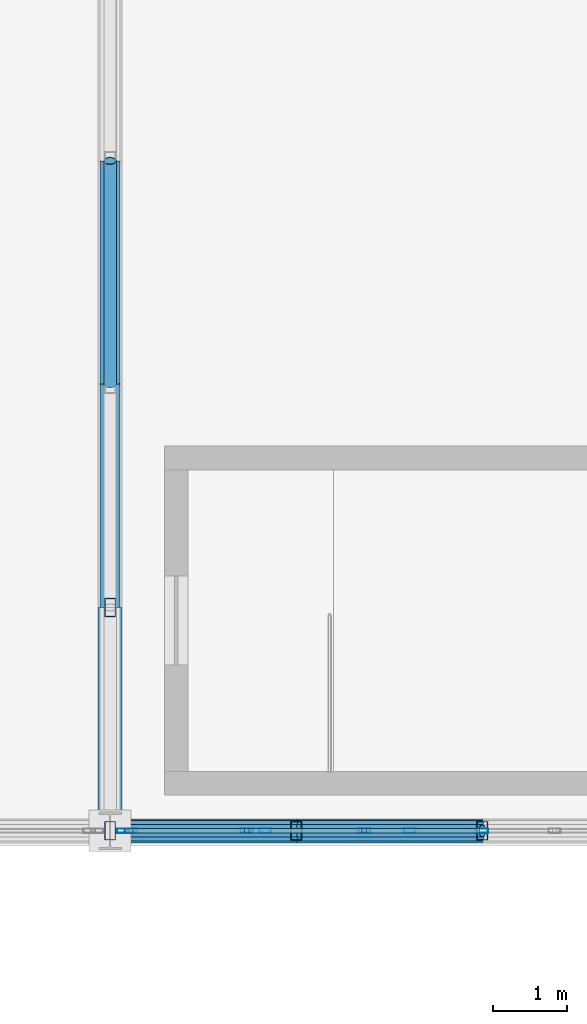
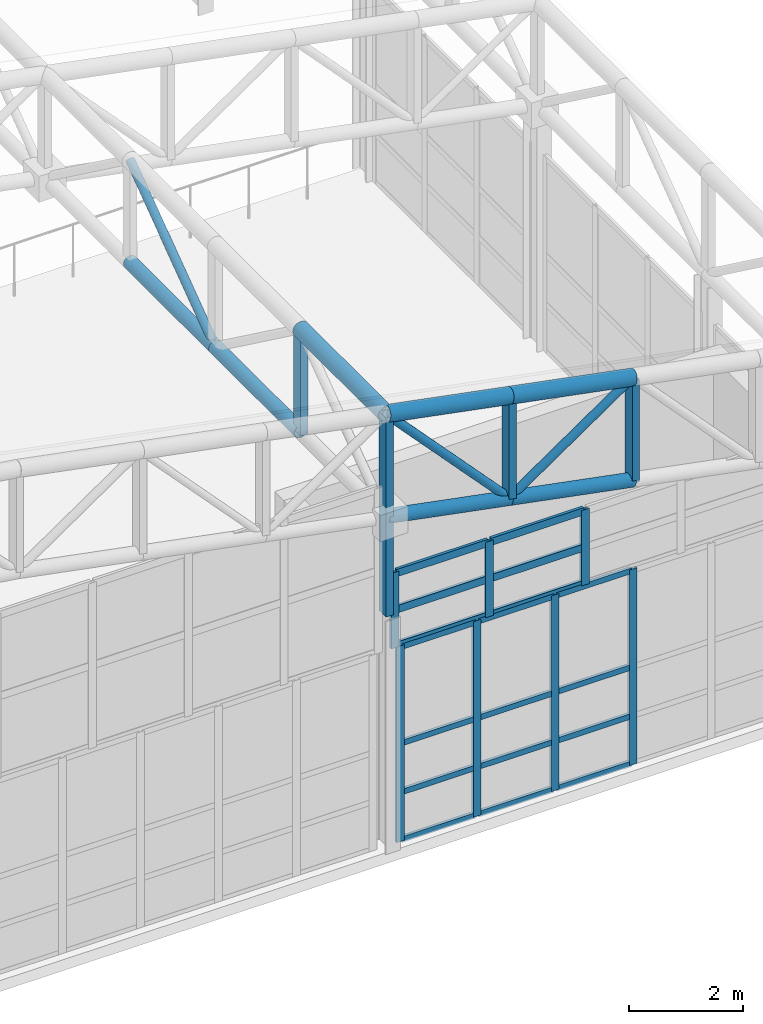
# One storey, part 51 of 112: 39 members, 2 elements without a shape of their own.
"""IFC4 building model written with IfcOpenShell, lengths in metres."""

from ifc_helpers import new_model, si_unit, direction, frame, origin, origin_2d, place, context, subcontext, project, spatial, hollow_rectangle, hollow_circle, extrude, material, material_profile, profile_set, type_object, element, aggregate, save


model = new_model("IFC4")

# Units and contexts
model_context = context("Model", 3, precision=1e-05, world=origin(), true_north=direction((0.0, 1.0)))
body_context = subcontext(model_context, "Body", "Model", "MODEL_VIEW")
ifc_project = project(units=[si_unit("LENGTHUNIT", "METRE"), si_unit("AREAUNIT", "SQUARE_METRE"), si_unit("VOLUMEUNIT", "CUBIC_METRE"), si_unit("PLANEANGLEUNIT", "RADIAN"), si_unit("MASSUNIT", "GRAM", prefix="KILO")], contexts=[model_context])

# Site, building, storey
site_placement = place(None, origin())
site = spatial("IfcSite", under=ifc_project, at=site_placement, CompositionType="ELEMENT")
building_placement = place(site_placement, origin())
building = spatial("IfcBuilding", under=site, at=building_placement, Name="Kaldris Quays Convention Centre", CompositionType="ELEMENT")
storey_placement = place(building_placement, frame((0.0, 0.0, 16.800048828125)))
storey = spatial("IfcBuildingStorey", under=building, at=storey_placement, Name="L03", CompositionType="ELEMENT", Elevation=16.800048828125)

# Curtain wall, members
ifc_material_1 = material(Name="Anodized aluminium AW-6060 and triple glazing", Category="aluminium")
curtain_wall_type_1 = type_object("IfcCurtainWallType", Name="UNITISED CURTAIN WALL CW01", PredefinedType="NOTDEFINED", material=ifc_material_1)
curtain_wall_1_placement = place(storey_placement, origin())
curtain_wall_1 = element("IfcCurtainWall", 1, at=curtain_wall_1_placement, inside=storey, type_object=curtain_wall_type_1, Name="L03 Unitised Curtain Wall CW01 39", PredefinedType="NOTDEFINED")
ifc_material_2 = material(Name="Anodized aluminium AW-6060", Category="aluminium")
ifc_material_profile_1 = material_profile(ifc_material_2, hollow_rectangle(XDim=0.06005859375, YDim=0.159912109375, WallThickness=0.00390625, at=origin_2d()), Name="RHS 160x60x4")
ifc_profile_set_1 = profile_set([ifc_material_profile_1], Name="Anodized aluminium AW-6060")
member_type_1 = type_object("IfcMemberType", Name="CURTAIN MULLION CWM1", PredefinedType="MULLION", material=ifc_profile_set_1)
member_1_placement = place(storey_placement, frame((194.280029296875, 56.0, 0.0), z_axis=(0.0, 0.0, 1.0), x_axis=(0.0, 1.0, 0.0)))
member_1 = element("IfcMember", 2, at=member_1_placement, type_object=member_type_1, Name="CW01 mullion 1", PredefinedType="MULLION", context=body_context, shape_type="SweptSolid", body=[
    extrude(hollow_rectangle(XDim=0.06005859375, YDim=0.159912109375, WallThickness=0.00390625, at=origin_2d()), origin(), (0.0, 0.0, 1.0), 4.199951171875),
])
member_2_placement = place(storey_placement, frame((195.833251953125, 56.0, 0.0), z_axis=(0.0, 0.0, 1.0), x_axis=(0.0, 1.0, 0.0)))
member_2 = element("IfcMember", 3, at=member_2_placement, type_object=member_type_1, Name="CW01 mullion 2", PredefinedType="MULLION", context=body_context, shape_type="SweptSolid", body=[
    extrude(hollow_rectangle(XDim=0.06005859375, YDim=0.159912109375, WallThickness=0.00390625, at=origin_2d()), origin(), (0.0, 0.0, 1.0), 4.199951171875),
])
member_3_placement = place(storey_placement, frame((197.416748046875, 56.0, 0.0), z_axis=(0.0, 0.0, 1.0), x_axis=(0.0, 1.0, 0.0)))
member_3 = element("IfcMember", 4, at=member_3_placement, type_object=member_type_1, Name="CW01 mullion 3", PredefinedType="MULLION", context=body_context, shape_type="SweptSolid", body=[
    extrude(hollow_rectangle(XDim=0.06005859375, YDim=0.159912109375, WallThickness=0.00390625, at=origin_2d()), origin(), (0.0, 0.0, 1.0), 4.199951171875),
])
member_4_placement = place(storey_placement, frame((199.0, 56.0, 0.0), z_axis=(0.0, 0.0, 1.0), x_axis=(0.0, 1.0, 0.0)))
member_4 = element("IfcMember", 5, at=member_4_placement, type_object=member_type_1, Name="CW01 mullion 4", PredefinedType="MULLION", context=body_context, shape_type="SweptSolid", body=[
    extrude(hollow_rectangle(XDim=0.06005859375, YDim=0.159912109375, WallThickness=0.00390625, at=origin_2d()), origin(), (0.0, 0.0, 1.0), 4.199951171875),
])

curtain_wall_type_2 = type_object("IfcCurtainWallType", Name="UNITISED CURTAIN WALL CW05", PredefinedType="NOTDEFINED", material=ifc_material_1)
curtain_wall_2_placement = place(storey_placement, origin())
curtain_wall_2 = element("IfcCurtainWall", 6, at=curtain_wall_2_placement, inside=storey, type_object=curtain_wall_type_2, Name="L03 Unitised Curtain Wall CW05 258", PredefinedType="NOTDEFINED")
member_5_placement = place(storey_placement, frame((194.169921875, 56.0, 4.195068359375), z_axis=(0.0, 0.0, 1.0), x_axis=(0.0, 1.0, 0.0)))
member_5 = element("IfcMember", 7, at=member_5_placement, type_object=member_type_1, Name="CW05 mullion 1", PredefinedType="MULLION", context=body_context, shape_type="SweptSolid", body=[
    extrude(hollow_rectangle(XDim=0.06005859375, YDim=0.159912109375, WallThickness=0.00390625, at=origin_2d()), origin(), (0.0, 0.0, 1.0), 1.618896484375),
])
member_6_placement = place(storey_placement, frame((196.083984375, 56.0, 4.195068359375), z_axis=(0.0, 0.0, 1.0), x_axis=(0.0, 1.0, 0.0)))
member_6 = element("IfcMember", 8, at=member_6_placement, type_object=member_type_1, Name="CW05 mullion 2", PredefinedType="MULLION", context=body_context, shape_type="SweptSolid", body=[
    extrude(hollow_rectangle(XDim=0.06005859375, YDim=0.159912109375, WallThickness=0.00390625, at=origin_2d()), origin(), (0.0, 0.0, 1.0), 1.618896484375),
])
member_7_placement = place(storey_placement, frame((198.028076171875, 56.0, 4.195068359375), z_axis=(0.0, 0.0, 1.0), x_axis=(0.0, 1.0, 0.0)))
member_7 = element("IfcMember", 9, at=member_7_placement, type_object=member_type_1, Name="CW05 mullion 3", PredefinedType="MULLION", context=body_context, shape_type="SweptSolid", body=[
    extrude(hollow_rectangle(XDim=0.06005859375, YDim=0.159912109375, WallThickness=0.00390625, at=origin_2d()), origin(), (0.0, 0.0, 1.0), 1.618896484375),
])

# Member
ifc_material_profile_2 = material_profile(ifc_material_2, hollow_rectangle(XDim=0.06005859375, YDim=0.1201171875, WallThickness=0.00390625, at=origin_2d()), Name="RHS 120x60x4")
ifc_profile_set_2 = profile_set([ifc_material_profile_2], Name="Anodized aluminium AW-6060")
member_type_2 = type_object("IfcMemberType", Name="CURTAIN TRANSOM CWT1", PredefinedType="USERDEFINED", material=ifc_profile_set_2)
member_8_placement = place(storey_placement, frame((194.31005859375, 56.0, 0.030029296875), z_axis=(1.0, 0.0, 0.0), x_axis=(0.0, 1.0, 0.0)))
member_8 = element("IfcMember", 10, at=member_8_placement, type_object=member_type_2, Name="CW01 transom 1.1", ObjectType="TRANSOM", PredefinedType="USERDEFINED", context=body_context, shape_type="SweptSolid", body=[
    extrude(hollow_rectangle(XDim=0.06005859375, YDim=0.1201171875, WallThickness=0.00390625, at=origin_2d()), origin(), (0.0, 0.0, 1.0), 1.4931640625),
])

member_9_placement = place(storey_placement, frame((194.31005859375, 56.0, 1.050048828125), z_axis=(1.0, 0.0, 0.0), x_axis=(0.0, 1.0, 0.0)))
member_9 = element("IfcMember", 11, at=member_9_placement, type_object=member_type_2, Name="CW01 transom 1.2", ObjectType="TRANSOM", PredefinedType="USERDEFINED", context=body_context, shape_type="SweptSolid", body=[
    extrude(hollow_rectangle(XDim=0.06005859375, YDim=0.1201171875, WallThickness=0.00390625, at=origin_2d()), origin(), (0.0, 0.0, 1.0), 1.4931640625),
])

member_10_placement = place(storey_placement, frame((194.31005859375, 56.0, 2.099853515625), z_axis=(1.0, 0.0, 0.0), x_axis=(0.0, 1.0, 0.0)))
member_10 = element("IfcMember", 12, at=member_10_placement, type_object=member_type_2, Name="CW01 transom 1.3", ObjectType="TRANSOM", PredefinedType="USERDEFINED", context=body_context, shape_type="SweptSolid", body=[
    extrude(hollow_rectangle(XDim=0.06005859375, YDim=0.1201171875, WallThickness=0.00390625, at=origin_2d()), origin(), (0.0, 0.0, 1.0), 1.4931640625),
])

member_11_placement = place(storey_placement, frame((194.31005859375, 56.0, 4.169921875), z_axis=(1.0, 0.0, 0.0), x_axis=(0.0, 1.0, 0.0)))
member_11 = element("IfcMember", 13, at=member_11_placement, type_object=member_type_2, Name="CW01 transom 1.4", ObjectType="TRANSOM", PredefinedType="USERDEFINED", context=body_context, shape_type="SweptSolid", body=[
    extrude(hollow_rectangle(XDim=0.06005859375, YDim=0.1201171875, WallThickness=0.00390625, at=origin_2d()), origin(), (0.0, 0.0, 1.0), 1.4931640625),
])

member_12_placement = place(storey_placement, frame((195.86328125, 56.0, 0.030029296875), z_axis=(1.0, 0.0, 0.0), x_axis=(0.0, 1.0, 0.0)))
member_12 = element("IfcMember", 14, at=member_12_placement, type_object=member_type_2, Name="CW01 transom 2.1", ObjectType="TRANSOM", PredefinedType="USERDEFINED", context=body_context, shape_type="SweptSolid", body=[
    extrude(hollow_rectangle(XDim=0.06005859375, YDim=0.1201171875, WallThickness=0.00390625, at=origin_2d()), origin(), (0.0, 0.0, 1.0), 1.5234375),
])

member_13_placement = place(storey_placement, frame((195.86328125, 56.0, 1.050048828125), z_axis=(1.0, 0.0, 0.0), x_axis=(0.0, 1.0, 0.0)))
member_13 = element("IfcMember", 15, at=member_13_placement, type_object=member_type_2, Name="CW01 transom 2.2", ObjectType="TRANSOM", PredefinedType="USERDEFINED", context=body_context, shape_type="SweptSolid", body=[
    extrude(hollow_rectangle(XDim=0.06005859375, YDim=0.1201171875, WallThickness=0.00390625, at=origin_2d()), origin(), (0.0, 0.0, 1.0), 1.5234375),
])

member_14_placement = place(storey_placement, frame((195.86328125, 56.0, 2.099853515625), z_axis=(1.0, 0.0, 0.0), x_axis=(0.0, 1.0, 0.0)))
member_14 = element("IfcMember", 16, at=member_14_placement, type_object=member_type_2, Name="CW01 transom 2.3", ObjectType="TRANSOM", PredefinedType="USERDEFINED", context=body_context, shape_type="SweptSolid", body=[
    extrude(hollow_rectangle(XDim=0.06005859375, YDim=0.1201171875, WallThickness=0.00390625, at=origin_2d()), origin(), (0.0, 0.0, 1.0), 1.5234375),
])

member_15_placement = place(storey_placement, frame((195.86328125, 56.0, 4.169921875), z_axis=(1.0, 0.0, 0.0), x_axis=(0.0, 1.0, 0.0)))
member_15 = element("IfcMember", 17, at=member_15_placement, type_object=member_type_2, Name="CW01 transom 2.4", ObjectType="TRANSOM", PredefinedType="USERDEFINED", context=body_context, shape_type="SweptSolid", body=[
    extrude(hollow_rectangle(XDim=0.06005859375, YDim=0.1201171875, WallThickness=0.00390625, at=origin_2d()), origin(), (0.0, 0.0, 1.0), 1.5234375),
])

member_16_placement = place(storey_placement, frame((197.44677734375, 56.0, 0.030029296875), z_axis=(1.0, 0.0, 0.0), x_axis=(0.0, 1.0, 0.0)))
member_16 = element("IfcMember", 18, at=member_16_placement, type_object=member_type_2, Name="CW01 transom 3.1", ObjectType="TRANSOM", PredefinedType="USERDEFINED", context=body_context, shape_type="SweptSolid", body=[
    extrude(hollow_rectangle(XDim=0.06005859375, YDim=0.1201171875, WallThickness=0.00390625, at=origin_2d()), origin(), (0.0, 0.0, 1.0), 1.523193359375),
])

member_17_placement = place(storey_placement, frame((197.44677734375, 56.0, 1.050048828125), z_axis=(1.0, 0.0, 0.0), x_axis=(0.0, 1.0, 0.0)))
member_17 = element("IfcMember", 19, at=member_17_placement, type_object=member_type_2, Name="CW01 transom 3.2", ObjectType="TRANSOM", PredefinedType="USERDEFINED", context=body_context, shape_type="SweptSolid", body=[
    extrude(hollow_rectangle(XDim=0.06005859375, YDim=0.1201171875, WallThickness=0.00390625, at=origin_2d()), origin(), (0.0, 0.0, 1.0), 1.523193359375),
])

member_18_placement = place(storey_placement, frame((197.44677734375, 56.0, 2.099853515625), z_axis=(1.0, 0.0, 0.0), x_axis=(0.0, 1.0, 0.0)))
member_18 = element("IfcMember", 20, at=member_18_placement, type_object=member_type_2, Name="CW01 transom 3.3", ObjectType="TRANSOM", PredefinedType="USERDEFINED", context=body_context, shape_type="SweptSolid", body=[
    extrude(hollow_rectangle(XDim=0.06005859375, YDim=0.1201171875, WallThickness=0.00390625, at=origin_2d()), origin(), (0.0, 0.0, 1.0), 1.523193359375),
])

member_19_placement = place(storey_placement, frame((197.44677734375, 56.0, 4.169921875), z_axis=(1.0, 0.0, 0.0), x_axis=(0.0, 1.0, 0.0)))
member_19 = element("IfcMember", 21, at=member_19_placement, type_object=member_type_2, Name="CW01 transom 3.4", ObjectType="TRANSOM", PredefinedType="USERDEFINED", context=body_context, shape_type="SweptSolid", body=[
    extrude(hollow_rectangle(XDim=0.06005859375, YDim=0.1201171875, WallThickness=0.00390625, at=origin_2d()), origin(), (0.0, 0.0, 1.0), 1.523193359375),
])

aggregate(curtain_wall_1, [member_1, member_2, member_3, member_4, member_8, member_9, member_10, member_11, member_12, member_13, member_14, member_15, member_16, member_17, member_18, member_19])

ifc_material_profile_3 = material_profile(ifc_material_2, hollow_rectangle(XDim=0.06005859375, YDim=0.159912109375, WallThickness=0.00390625, at=origin_2d()), Name="RHS 160x60x4")
ifc_profile_set_3 = profile_set([ifc_material_profile_3], Name="Anodized aluminium AW-6060")
member_type_3 = type_object("IfcMemberType", Name="CURTAIN TRANSOM CWT2", PredefinedType="USERDEFINED", material=ifc_profile_set_3)
member_20_placement = place(storey_placement, frame((194.199951171875, 56.0, 4.224853515625), z_axis=(1.0, 0.0, 0.0), x_axis=(0.0, 1.0, 0.0)))
member_20 = element("IfcMember", 22, at=member_20_placement, type_object=member_type_3, Name="CW05 transom 1.1", ObjectType="TRANSOM", PredefinedType="USERDEFINED", context=body_context, shape_type="SweptSolid", body=[
    extrude(hollow_rectangle(XDim=0.06005859375, YDim=0.159912109375, WallThickness=0.00390625, at=origin_2d()), origin(), (0.0, 0.0, 1.0), 1.85400390625),
])

member_21_placement = place(storey_placement, frame((194.199951171875, 56.0, 5.0048828125), z_axis=(1.0, 0.0, 0.0), x_axis=(0.0, 1.0, 0.0)))
member_21 = element("IfcMember", 23, at=member_21_placement, type_object=member_type_3, Name="CW05 transom 1.2", ObjectType="TRANSOM", PredefinedType="USERDEFINED", context=body_context, shape_type="SweptSolid", body=[
    extrude(hollow_rectangle(XDim=0.06005859375, YDim=0.159912109375, WallThickness=0.00390625, at=origin_2d()), origin(), (0.0, 0.0, 1.0), 1.85400390625),
])

member_22_placement = place(storey_placement, frame((194.199951171875, 56.0, 5.783935546875), z_axis=(1.0, 0.0, 0.0), x_axis=(0.0, 1.0, 0.0)))
member_22 = element("IfcMember", 24, at=member_22_placement, type_object=member_type_3, Name="CW05 transom 1.3", ObjectType="TRANSOM", PredefinedType="USERDEFINED", context=body_context, shape_type="SweptSolid", body=[
    extrude(hollow_rectangle(XDim=0.06005859375, YDim=0.159912109375, WallThickness=0.00390625, at=origin_2d()), origin(), (0.0, 0.0, 1.0), 1.85400390625),
])

member_23_placement = place(storey_placement, frame((196.114013671875, 56.0, 4.224853515625), z_axis=(1.0, 0.0, 0.0), x_axis=(0.0, 1.0, 0.0)))
member_23 = element("IfcMember", 25, at=member_23_placement, type_object=member_type_3, Name="CW05 transom 2.1", ObjectType="TRANSOM", PredefinedType="USERDEFINED", context=body_context, shape_type="SweptSolid", body=[
    extrude(hollow_rectangle(XDim=0.06005859375, YDim=0.159912109375, WallThickness=0.00390625, at=origin_2d()), origin(), (0.0, 0.0, 1.0), 1.884033203125),
])

member_24_placement = place(storey_placement, frame((196.114013671875, 56.0, 5.0048828125), z_axis=(1.0, 0.0, 0.0), x_axis=(0.0, 1.0, 0.0)))
member_24 = element("IfcMember", 26, at=member_24_placement, type_object=member_type_3, Name="CW05 transom 2.2", ObjectType="TRANSOM", PredefinedType="USERDEFINED", context=body_context, shape_type="SweptSolid", body=[
    extrude(hollow_rectangle(XDim=0.06005859375, YDim=0.159912109375, WallThickness=0.00390625, at=origin_2d()), origin(), (0.0, 0.0, 1.0), 1.884033203125),
])

member_25_placement = place(storey_placement, frame((196.114013671875, 56.0, 5.783935546875), z_axis=(1.0, 0.0, 0.0), x_axis=(0.0, 1.0, 0.0)))
member_25 = element("IfcMember", 27, at=member_25_placement, type_object=member_type_3, Name="CW05 transom 2.3", ObjectType="TRANSOM", PredefinedType="USERDEFINED", context=body_context, shape_type="SweptSolid", body=[
    extrude(hollow_rectangle(XDim=0.06005859375, YDim=0.159912109375, WallThickness=0.00390625, at=origin_2d()), origin(), (0.0, 0.0, 1.0), 1.884033203125),
])

aggregate(curtain_wall_2, [member_5, member_6, member_7, member_20, member_21, member_22, member_23, member_24, member_25])

# Members
ifc_material_3 = material(Name="Steel S355J2H", Category="steel")
ifc_material_profile_4 = material_profile(ifc_material_3, hollow_circle(Radius=0.161865234375, WallThickness=0.01611328125, at=origin_2d()), Name="CHS 323.9x16")
ifc_profile_set_4 = profile_set([ifc_material_profile_4], Name="Steel S355J2H")
member_type_4 = type_object("IfcMemberType", Name="STRUCTURAL MEMBER SC03", PredefinedType="CHORD", material=ifc_profile_set_4)
for number, where, z_axis, x_axis, name in (
    (28, (194.0, 56.0, 9.25927734375), (0.981903710383, 0.0, -0.189380842579), (0.0, 1.0, 0.0), "SF-V2 Top Chord X 12"),
    (29, (196.5, 56.0, 8.777099609375), (0.981903710383, 0.0, -0.189380842579), (0.0, 1.0, 0.0), "SF-V2 Top Chord X 13"),
):
    element("IfcMember", number, at=place(storey_placement, frame(where, z_axis=z_axis, x_axis=x_axis)), inside=storey, type_object=member_type_4, Name=name, PredefinedType="CHORD", context=body_context, shape_type="SweptSolid", body=[
        extrude(hollow_circle(Radius=0.161865234375, WallThickness=0.01611328125, at=origin_2d()), origin(), (0.0, 0.0, 1.0), 2.546142578125),
    ])
member_26_placement = place(storey_placement, frame((194.0, 56.0, 9.25927734375), z_axis=(0.0, 1.0, 0.0), x_axis=(-1.0, 0.0, 0.0)))
element("IfcMember", 30, at=member_26_placement, inside=storey, type_object=member_type_4, Name="SF-V2 Top Chord Y 124", PredefinedType="CHORD", context=body_context, shape_type="SweptSolid", body=[
    extrude(hollow_circle(Radius=0.161865234375, WallThickness=0.01611328125, at=origin_2d()), origin(), (0.0, 0.0, 1.0), 3.0),
])
ifc_material_profile_5 = material_profile(ifc_material_3, hollow_circle(Radius=0.136474609375, WallThickness=0.012451171875, at=origin_2d()), Name="CHS 273x12.5")
ifc_profile_set_5 = profile_set([ifc_material_profile_5], Name="Steel S355J2H")
member_type_5 = type_object("IfcMemberType", Name="STRUCTURAL MEMBER SC04", PredefinedType="CHORD", material=ifc_profile_set_5)
for number, where, z_axis, x_axis, name in (
    (31, (194.0, 56.0, 7.059326171875), (0.981903710383, 0.0, -0.189380842579), (0.0, 1.0, 0.0), "SF-V2 Bottom Chord X 12"),
    (32, (196.5, 56.0, 6.5771484375), (0.981903710383, 0.0, -0.189380842579), (0.0, 1.0, 0.0), "SF-V2 Bottom Chord X 13"),
):
    element("IfcMember", number, at=place(storey_placement, frame(where, z_axis=z_axis, x_axis=x_axis)), inside=storey, type_object=member_type_5, Name=name, PredefinedType="CHORD", context=body_context, shape_type="SweptSolid", body=[
        extrude(hollow_circle(Radius=0.136474609375, WallThickness=0.012451171875, at=origin_2d()), origin(), (0.0, 0.0, 1.0), 2.546142578125),
    ])
for number, where, z_axis, x_axis, name in (
    (33, (194.0, 59.0, 7.059326171875), (0.0, 1.0, 0.0), (-1.0, 0.0, 0.0), "SF-V2 Bottom Chord Y 125"),
    (34, (194.0, 62.0, 7.059326171875), (0.0, 1.0, 0.0), (-1.0, 0.0, 0.0), "SF-V2 Bottom Chord Y 126"),
):
    element("IfcMember", number, at=place(storey_placement, frame(where, z_axis=z_axis, x_axis=x_axis)), inside=storey, type_object=member_type_5, Name=name, PredefinedType="CHORD", context=body_context, shape_type="SweptSolid", body=[
        extrude(hollow_circle(Radius=0.136474609375, WallThickness=0.012451171875, at=origin_2d()), origin(), (0.0, 0.0, 1.0), 3.0),
    ])
ifc_material_profile_6 = material_profile(ifc_material_3, hollow_circle(Radius=0.084228515625, WallThickness=0.008056640625, at=origin_2d()), Name="CHS 168.3x8")
ifc_profile_set_6 = profile_set([ifc_material_profile_6], Name="Steel S355J2H")
member_type_6 = type_object("IfcMemberType", Name="STRUCTURAL MEMBER SWB2", PredefinedType="BRACE", material=ifc_profile_set_6)
member_27_placement = place(storey_placement, frame((196.5, 56.0, 6.5771484375), z_axis=(-0.68183413121, 0.0, 0.731506813035), x_axis=(0.0, -1.0, 0.0)))
element("IfcMember", 35, at=member_27_placement, inside=storey, type_object=member_type_6, Name="SF-V2 Web Diagonal X 12", PredefinedType="BRACE", context=body_context, shape_type="SweptSolid", body=[
    extrude(hollow_circle(Radius=0.084228515625, WallThickness=0.008056640625, at=origin_2d()), origin(), (0.0, 0.0, 1.0), 3.66650390625),
])
member_28_placement = place(storey_placement, frame((196.5, 56.0, 6.5771484375), z_axis=(0.8241921955, 0.0, 0.56631018433), x_axis=(0.0, 1.0, 0.0)))
element("IfcMember", 36, at=member_28_placement, inside=storey, type_object=member_type_6, Name="SF-V2 Web Diagonal X 13", PredefinedType="BRACE", context=body_context, shape_type="SweptSolid", body=[
    extrude(hollow_circle(Radius=0.084228515625, WallThickness=0.008056640625, at=origin_2d()), origin(), (0.0, 0.0, 1.0), 3.033203125),
])
member_29_placement = place(storey_placement, frame((194.0, 62.0, 7.059326171875), z_axis=(0.0, 0.80641125493, 0.591355128432), x_axis=(-1.0, 0.0, 0.0)))
element("IfcMember", 37, at=member_29_placement, inside=storey, type_object=member_type_6, Name="SF-V2 Web Diagonal Y 126", PredefinedType="BRACE", context=body_context, shape_type="SweptSolid", body=[
    extrude(hollow_circle(Radius=0.084228515625, WallThickness=0.008056640625, at=origin_2d()), origin(), (0.0, 0.0, 1.0), 3.72021484375),
])
ifc_material_profile_7 = material_profile(ifc_material_3, hollow_rectangle(XDim=0.14990234375, YDim=0.25, WallThickness=0.010009765625, at=origin_2d()), Name="RHS 250x150x10")
ifc_profile_set_7 = profile_set([ifc_material_profile_7], Name="Steel S355J2H")
member_type_7 = type_object("IfcMemberType", Name="STRUCTURAL MEMBER TTV1", PredefinedType="POST", material=ifc_profile_set_7)
member_30_placement = place(storey_placement, frame((194.0, 56.0, 4.993896484375), z_axis=(0.0, 0.0, 1.0), x_axis=(1.0, 0.0, 0.0)))
element("IfcMember", 38, at=member_30_placement, inside=storey, type_object=member_type_7, Name="SF-V2 Space-Frame Post 92", PredefinedType="POST", context=body_context, shape_type="SweptSolid", body=[
    extrude(hollow_rectangle(XDim=0.14990234375, YDim=0.25, WallThickness=0.010009765625, at=origin_2d()), origin(), (0.0, 0.0, 1.0), 4.265380859375),
])
for number, where, z_axis, x_axis, name in (
    (39, (194.0, 59.0, 7.059326171875), (0.0, 0.0, 1.0), (1.0, 0.0, 0.0), "SF-V2 Space-Frame Post 93"),
    (40, (196.5, 56.0, 6.5771484375), (0.0, 0.0, 1.0), (1.0, 0.0, 0.0), "SF-V2 Space-Frame Post 109"),
    (41, (199.0, 56.0, 6.094970703125), (0.0, 0.0, 1.0), (1.0, 0.0, 0.0), "SF-V2 Space-Frame Post 114"),
):
    element("IfcMember", number, at=place(storey_placement, frame(where, z_axis=z_axis, x_axis=x_axis)), inside=storey, type_object=member_type_7, Name=name, PredefinedType="POST", context=body_context, shape_type="SweptSolid", body=[
        extrude(hollow_rectangle(XDim=0.14990234375, YDim=0.25, WallThickness=0.010009765625, at=origin_2d()), origin(), (0.0, 0.0, 1.0), 2.199951171875),
    ])

save(model, "model.ifc")
